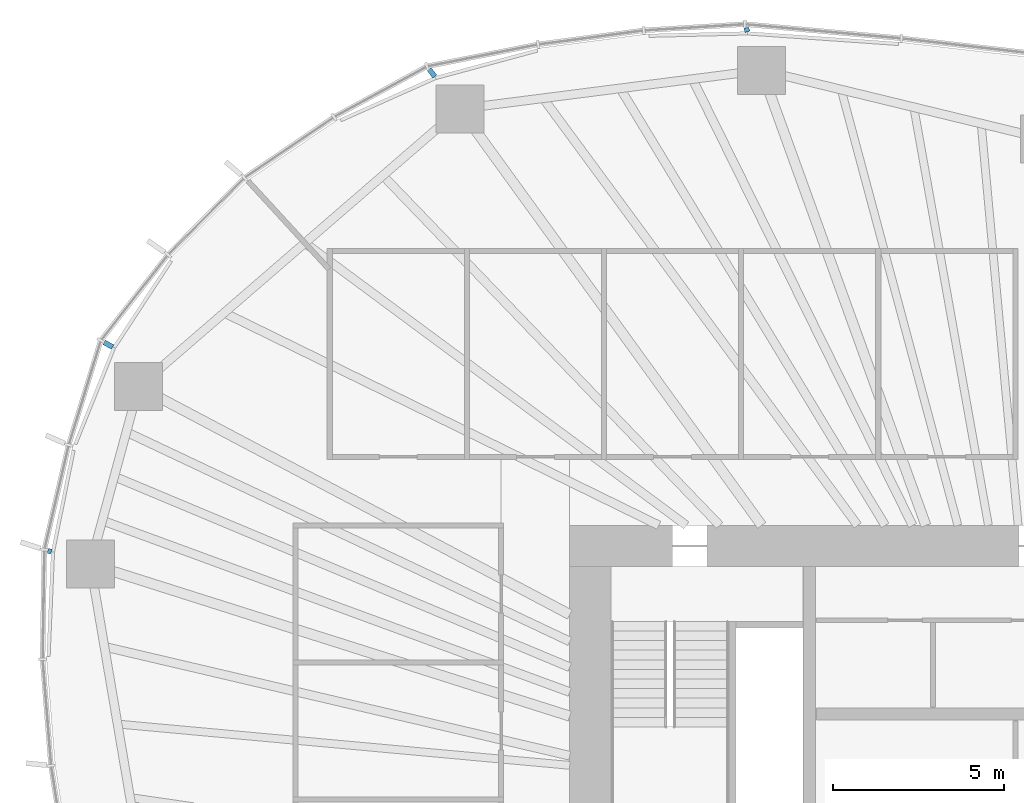
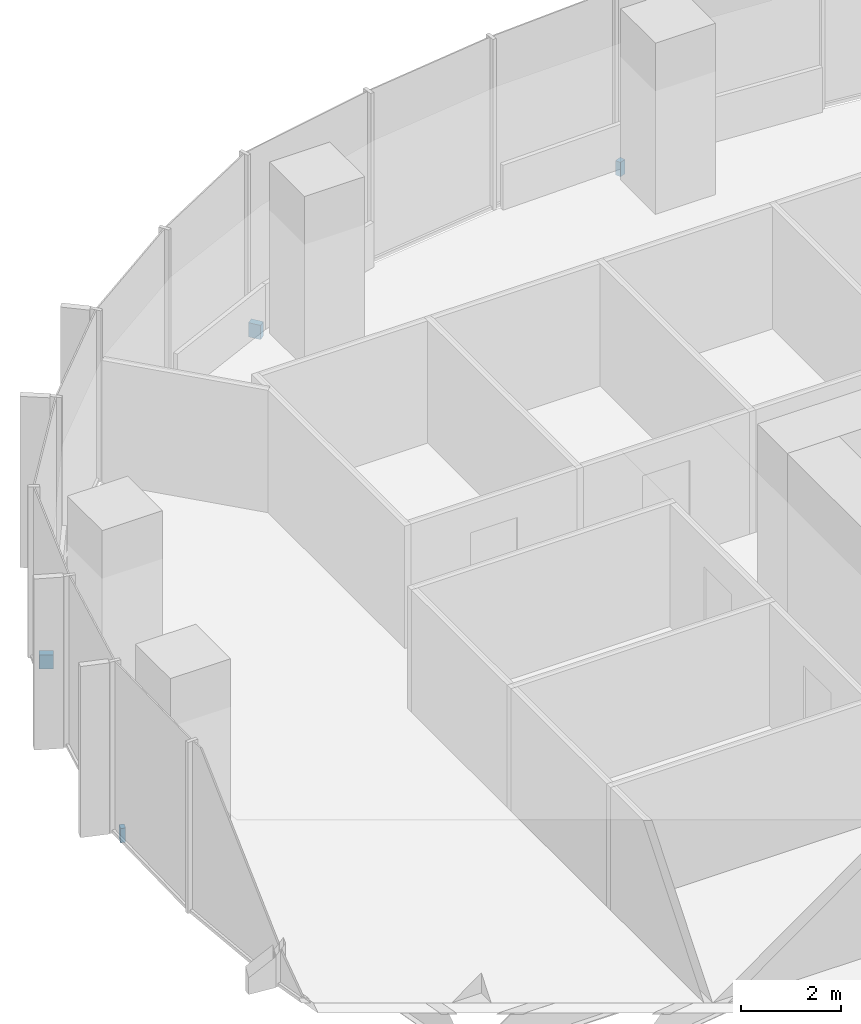
# One storey, part 15 of 18: 4 discrete accessories.
"""IFC4 building model written with IfcOpenShell, lengths in metres."""

import ifcopenshell
import ifcopenshell.guid

model = None  # the IFC model being written
_history = None  # IfcOwnerHistory: only IFC2X3 demands one
_inside = {}  # id of a spatial element -> (the spatial element, [elements in it])
_under = {}  # id of a project, library or spatial element -> (it, [spatial elements below it])
_declared = {}  # id of a project -> (the project, [libraries it declares])
_typed = {}  # id of a type object -> (the type object, [elements of that type])
_made_of = {}  # id of a material, layer set ... -> (it, [elements and type objects made of it])


def new_model(schema):
    """Start an empty IFC model of exactly this schema.

    Asked for "IFC4X3", IfcOpenShell would pick the latest addendum, in which some entities
    have other attributes; the version numbers below select the first issue.
    IFC2X3 requires an IfcOwnerHistory on every rooted entity: one is made here for all.
    """
    global model, _history
    if schema == "IFC4X3":
        model = ifcopenshell.file(schema_version=(4, 3, 0, 0))
    else:
        model = ifcopenshell.file(schema=schema)
    _inside.clear()
    _under.clear()
    _declared.clear()
    _typed.clear()
    _made_of.clear()
    _history = None
    if model.schema == "IFC2X3":
        org = make("IfcOrganization", Name="unknown")
        user = make(
            "IfcPersonAndOrganization",
            ThePerson=make("IfcPerson", FamilyName="unknown"),
            TheOrganization=org,
        )
        app = make(
            "IfcApplication",
            ApplicationDeveloper=org,
            Version="unknown",
            ApplicationFullName="unknown",
            ApplicationIdentifier="unknown",
        )
        _history = make(
            "IfcOwnerHistory",
            OwningUser=user,
            OwningApplication=app,
            ChangeAction="ADDED",
            CreationDate=0,
        )
    return model


def make(cls, **values):
    """One entity of the class cls with the attributes given. An attribute that is None is left unset."""
    return model.create_entity(
        cls, **{name: value for name, value in values.items() if value is not None}
    )


def rooted(cls, **values):
    """An entity with a GlobalId (a new one), such as an element, a storey or a relation."""
    return make(cls, GlobalId=ifcopenshell.guid.new(), OwnerHistory=_history, **values)


def si_unit(unit_type, name, prefix=None):
    """IfcSIUnit, for example si_unit("LENGTHUNIT", "METRE", prefix="MILLI")."""
    return make("IfcSIUnit", UnitType=unit_type, Prefix=prefix, Name=name)


def assignment(units):
    """IfcUnitAssignment: the units of a project."""
    return None if units is None else make("IfcUnitAssignment", Units=units)


def point(xyz):
    """IfcCartesianPoint."""
    return None if xyz is None else make("IfcCartesianPoint", Coordinates=xyz)


def direction(xyz):
    """IfcDirection."""
    return None if xyz is None else make("IfcDirection", DirectionRatios=xyz)


def frame(location, z_axis=None, x_axis=None):
    """IfcAxis2Placement3D, a coordinate frame: its origin and axes. An axis left out is left unset."""
    return make(
        "IfcAxis2Placement3D",
        Location=point(location),
        Axis=direction(z_axis),
        RefDirection=direction(x_axis),
    )


def frame_2d(location, x_axis=None):
    """IfcAxis2Placement2D, a coordinate frame in the plane: its origin and x axis."""
    return make(
        "IfcAxis2Placement2D", Location=point(location), RefDirection=direction(x_axis)
    )


def origin():
    """The frame at (0, 0, 0) with its axes left unset."""
    return frame((0.0, 0.0, 0.0))


def origin_2d():
    """The frame at (0, 0) in the plane with its x axis left unset."""
    return frame_2d((0.0, 0.0))


def place(relative_to, where):
    """IfcLocalPlacement: puts the frame where relative to a parent placement (None: the world)."""
    return make(
        "IfcLocalPlacement", PlacementRelTo=relative_to, RelativePlacement=where
    )


def context(
    kind, dimensions, precision=None, world=None, true_north=None, identifier=None
):
    """IfcGeometricRepresentationContext, for example the 3D "Model" context."""
    return make(
        "IfcGeometricRepresentationContext",
        ContextIdentifier=identifier,
        ContextType=kind,
        CoordinateSpaceDimension=dimensions,
        Precision=precision,
        WorldCoordinateSystem=world,
        TrueNorth=true_north,
    )


def subcontext(parent, identifier, kind, view, scale=None):
    """IfcGeometricRepresentationSubContext, for example "Body" below "Model"."""
    return make(
        "IfcGeometricRepresentationSubContext",
        ContextIdentifier=identifier,
        ContextType=kind,
        ParentContext=parent,
        TargetScale=scale,
        TargetView=view,
    )


def project(units=None, contexts=None):
    """IfcProject with its units and contexts."""
    return rooted(
        "IfcProject",
        Name="project",
        RepresentationContexts=contexts,
        UnitsInContext=assignment(units),
    )


def spatial(cls, under=None, at=None, **own):
    """A site, building, storey or space (cls), placed at a placement, below another one or the project."""
    s = rooted(cls, ObjectPlacement=at, **own)
    if under is not None:
        _under.setdefault(under.id(), (under, []))[1].append(s)
    return s


def profile(cls, at=None, kind="AREA", **sizes):
    """A parametric profile (cls). Its sizes go by their IFC names, for example OverallWidth=200.0."""
    return make(cls, ProfileType=kind, Position=at, **sizes)


def rectangle(**sizes):
    """IfcRectangleProfileDef."""
    return profile("IfcRectangleProfileDef", **sizes)


def extrude(swept, where, along, depth):
    """IfcExtrudedAreaSolid: the profile swept, set in the frame where, extruded along a direction by depth."""
    return make(
        "IfcExtrudedAreaSolid",
        SweptArea=swept,
        Position=where,
        ExtrudedDirection=direction(along),
        Depth=depth,
    )


def shape(context_of_items, identifier, shape_type, items):
    """IfcShapeRepresentation: the items that make up one representation, for example the "Body"."""
    return make(
        "IfcShapeRepresentation",
        ContextOfItems=context_of_items,
        RepresentationIdentifier=identifier,
        RepresentationType=shape_type,
        Items=items,
    )


def material(Name=None, Category=None):
    """IfcMaterial."""
    return make("IfcMaterial", Name=Name, Category=Category)


def made_of(thing, what):
    """Note that an element or type object is made of a material, layer set ...; save() writes the relation."""
    if what is not None:
        _made_of.setdefault(what.id(), (what, []))[1].append(thing)
    return thing


def type_object(cls, material=None, **own):
    """A type object (cls), such as IfcWallType, which elements share."""
    return made_of(rooted(cls, **own), material)


def element(
    cls,
    number,
    at=None,
    inside=None,
    cuts=None,
    type_object=None,
    material=None,
    context=None,
    identifier="Body",
    shape_type=None,
    held_by="IfcProductDefinitionShape",
    body=None,
    shapes=None,
    **own,
):
    """One element of the class cls, such as IfcWall. Its Tag is "e" and its number.

    at: its placement. inside: the storey or other place that contains it. cuts: it is an
    opening in that element (IfcRelVoidsElement). A single representation is given by context,
    identifier, shape_type and body (its items); several are given by shapes. held_by: the class
    of the entity that holds the representations. save() writes the other relations.
    """
    e = rooted(cls, Tag="e%d" % number, ObjectPlacement=at, **own)
    if body is not None:
        shapes = [shape(context, identifier, shape_type, body)]
    if shapes is not None:
        e.Representation = make(held_by, Representations=shapes)
    if inside is not None:
        _inside.setdefault(inside.id(), (inside, []))[1].append(e)
    if cuts is not None:
        rooted(
            "IfcRelVoidsElement", RelatingBuildingElement=cuts, RelatedOpeningElement=e
        )
    if type_object is not None:
        _typed.setdefault(type_object.id(), (type_object, []))[1].append(e)
    return made_of(e, material)


def aggregate(whole, parts):
    """IfcRelAggregates: a whole, such as a stair, and the parts it consists of."""
    return rooted("IfcRelAggregates", RelatingObject=whole, RelatedObjects=parts)


def save(model, path):
    """Write the relations noted so far, then the file.

    IfcRelAggregates (storeys below a building ...), IfcRelContainedInSpatialStructure (elements
    in a storey), IfcRelDefinesByType, IfcRelAssociatesMaterial and IfcRelDeclares: one each for
    every whole, place, type object, material and project.
    """
    for whole, parts in _under.values():
        aggregate(whole, parts)
    for where, things in _inside.values():
        rooted(
            "IfcRelContainedInSpatialStructure",
            RelatedElements=things,
            RelatingStructure=where,
        )
    for kind, things in _typed.values():
        rooted("IfcRelDefinesByType", RelatedObjects=things, RelatingType=kind)
    for what, things in _made_of.values():
        rooted("IfcRelAssociatesMaterial", RelatedObjects=things, RelatingMaterial=what)
    for by, libraries in _declared.values():
        rooted("IfcRelDeclares", RelatingContext=by, RelatedDefinitions=libraries)
    model.write(path)


model = new_model("IFC4")

# Units and contexts
model_context = context("Model", 3, precision=1e-05, world=origin(), true_north=direction((0.0, 1.0)))
body_context = subcontext(model_context, "Body", "Model", "MODEL_VIEW")
ifc_project = project(units=[si_unit("LENGTHUNIT", "METRE"), si_unit("AREAUNIT", "SQUARE_METRE"), si_unit("VOLUMEUNIT", "CUBIC_METRE"), si_unit("PLANEANGLEUNIT", "RADIAN"), si_unit("MASSUNIT", "GRAM", prefix="KILO")], contexts=[model_context])

# Site, building, storey
site_placement = place(None, origin())
site = spatial("IfcSite", under=ifc_project, at=site_placement, CompositionType="ELEMENT")
building_placement = place(site_placement, origin())
building = spatial("IfcBuilding", under=site, at=building_placement, Name="Ghaith Harvest Tower", CompositionType="ELEMENT")
storey_placement = place(building_placement, frame((0.0, 0.0, 168.0)))
storey = spatial("IfcBuildingStorey", under=building, at=storey_placement, Name="L36", CompositionType="ELEMENT", Elevation=168.0)

# Discrete accessories
ifc_material_1 = material(Name="Stainless steel grade 1.4401", Category="steel")
discrete_accessory_type_1 = type_object("IfcDiscreteAccessoryType", Name="CURTAIN WALL BRACKET 105", PredefinedType="BRACKET", material=ifc_material_1)
discrete_accessory_1_placement = place(storey_placement, frame((-29.171875, 9.2451171875, -0.25), z_axis=(0.0, 0.0, 1.0), x_axis=(-0.953273219358, 0.302109531884, 0.0)))
element("IfcDiscreteAccessory", 1, at=discrete_accessory_1_placement, inside=storey, type_object=discrete_accessory_type_1, Name="CW-L bracket 1 bay 10 L36", PredefinedType="BRACKET", context=body_context, shape_type="SweptSolid", body=[
    extrude(rectangle(XDim=0.10498046875, YDim=0.14990234375, at=origin_2d()), origin(), (0.0, 0.0, 1.0), 0.35009765625),
])
ifc_material_2 = material(Name="Stainless steel grade 1.4401", Category="steel")
discrete_accessory_type_2 = type_object("IfcDiscreteAccessoryType", Name="CURTAIN WALL BRACKET 125", PredefinedType="BRACKET", material=ifc_material_2)
discrete_accessory_2_placement = place(storey_placement, frame((-8.833984375, 24.45849609375, -0.25), z_axis=(0.0, 0.0, 1.0), x_axis=(-0.339699453402, 0.94053404051, 0.0)))
element("IfcDiscreteAccessory", 2, at=discrete_accessory_2_placement, inside=storey, type_object=discrete_accessory_type_2, Name="CW-L bracket 1 bay 07 L36", PredefinedType="BRACKET", context=body_context, shape_type="SweptSolid", body=[
    extrude(rectangle(XDim=0.125, YDim=0.14990234375, at=origin_2d()), origin(), (0.0, 0.0, 1.0), 0.35009765625),
])
ifc_material_3 = material(Name="Stainless steel grade 1.4401", Category="steel")
discrete_accessory_type_3 = type_object("IfcDiscreteAccessoryType", Name="CURTAIN WALL BRACKET 265", PredefinedType="BRACKET", material=ifc_material_3)
discrete_accessory_3_placement = place(storey_placement, frame((-18.0166015625, 23.197998046875, -0.25), z_axis=(0.0, 0.0, 1.0), x_axis=(-0.613377714422, 0.78978970584, 0.0)))
element("IfcDiscreteAccessory", 3, at=discrete_accessory_3_placement, inside=storey, type_object=discrete_accessory_type_3, Name="CW-L bracket 1 bay 08 L36", PredefinedType="BRACKET", context=body_context, shape_type="SweptSolid", body=[
    extrude(rectangle(XDim=0.264892578125, YDim=0.14990234375, at=origin_2d()), origin(), (0.0, 0.0, 1.0), 0.35009765625),
])
ifc_material_4 = material(Name="Stainless steel grade 1.4401", Category="steel")
discrete_accessory_type_4 = type_object("IfcDiscreteAccessoryType", Name="CURTAIN WALL BRACKET 285", PredefinedType="BRACKET", material=ifc_material_4)
discrete_accessory_4_placement = place(storey_placement, frame((-27.45849609375, 15.271728515625, -0.25), z_axis=(0.0, 0.0, 1.0), x_axis=(-0.873926916005, 0.486057347935, 0.0)))
element("IfcDiscreteAccessory", 4, at=discrete_accessory_4_placement, inside=storey, type_object=discrete_accessory_type_4, Name="CW-L bracket 2 bay 09 L36", PredefinedType="BRACKET", context=body_context, shape_type="SweptSolid", body=[
    extrude(rectangle(XDim=0.284912109375, YDim=0.14990234375, at=origin_2d()), origin(), (0.0, 0.0, 1.0), 0.35009765625),
])

save(model, "model.ifc")
